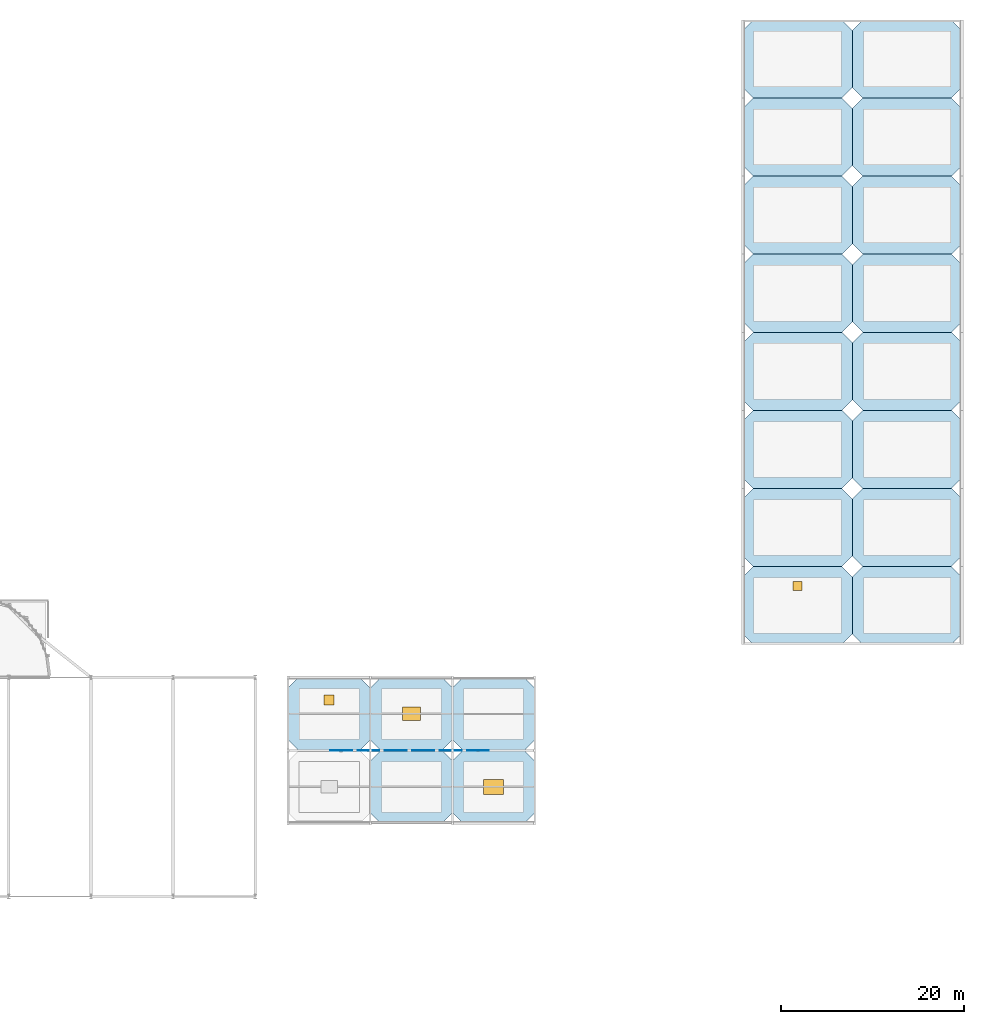
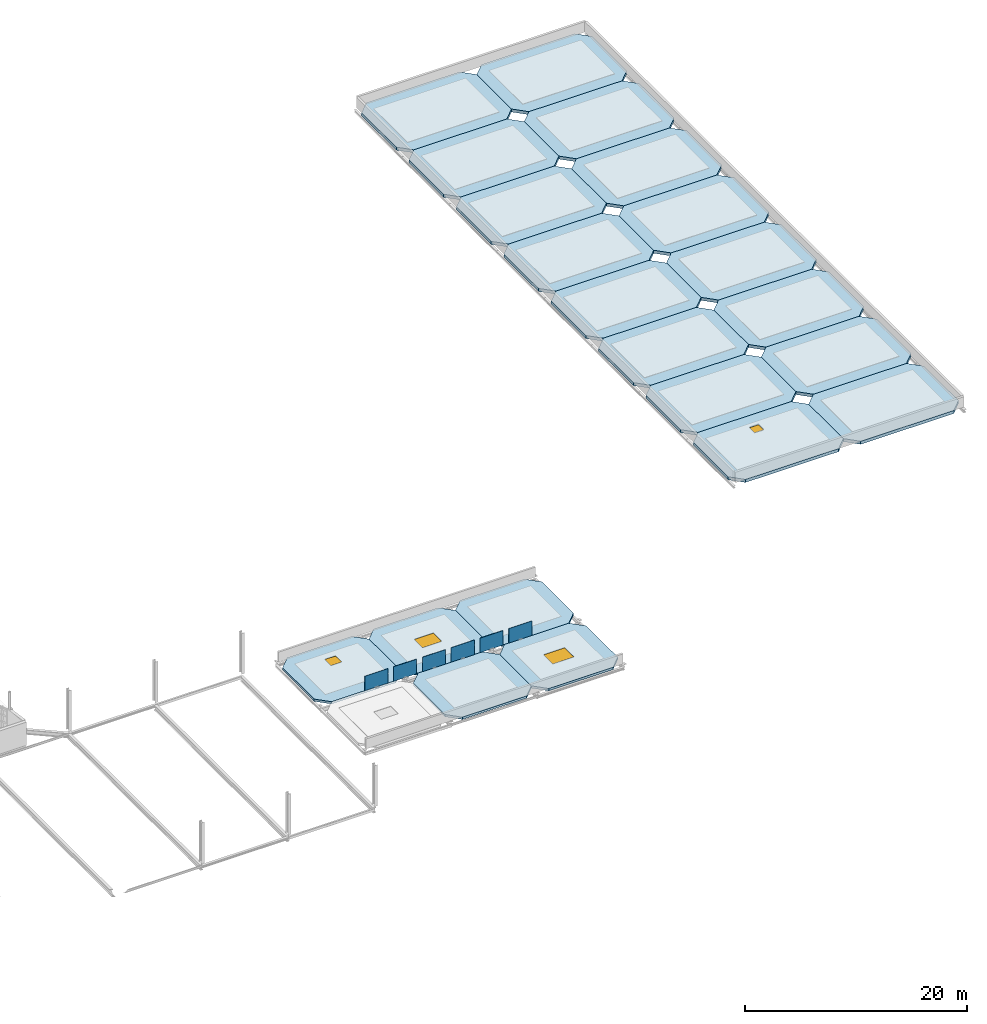
# One storey, part 30 of 44: 21 slabs, 6 plates, 2 doors, 2 windows, 4 openings.
"""IFC4 building model written with IfcOpenShell, lengths in metres."""

from ifc_helpers import new_model, si_unit, direction, frame, origin, origin_2d, place, context, subcontext, project, spatial, polyline, rectangle, outline, extrude, material, layer, layer_set, type_object, element, fill, save


model = new_model("IFC4")

# Units and contexts
model_context = context("Model", 3, precision=1e-05, world=origin(), true_north=direction((0.0, 1.0)))
body_context = subcontext(model_context, "Body", "Model", "MODEL_VIEW")
ifc_project = project(units=[si_unit("LENGTHUNIT", "METRE"), si_unit("AREAUNIT", "SQUARE_METRE"), si_unit("VOLUMEUNIT", "CUBIC_METRE"), si_unit("PLANEANGLEUNIT", "RADIAN"), si_unit("MASSUNIT", "GRAM", prefix="KILO")], contexts=[model_context])

# Site, building, storey
site_placement = place(None, origin())
site = spatial("IfcSite", under=ifc_project, at=site_placement, CompositionType="ELEMENT")
building_placement = place(site_placement, origin())
building = spatial("IfcBuilding", under=site, at=building_placement, Name="Serraforn Aerial Cableway Station", CompositionType="ELEMENT")
storey_placement = place(building_placement, frame((0.0, 0.0, 13.800048828125)))
storey = spatial("IfcBuildingStorey", under=building, at=storey_placement, Name="L03", CompositionType="ELEMENT", Elevation=13.800048828125)

# Plates
ifc_material_1 = material(Name="Perforated bronze acoustic plant screen")
ifc_layer_1 = layer(ifc_material_1, 0.031982421875)
ifc_layer_set_1 = layer_set([ifc_layer_1], Name="Perforated bronze acoustic plant screen")
plate_type = type_object("IfcPlateType", Name="SCR-PLANT", PredefinedType="SHEET", material=ifc_layer_set_1)
for number, where, z_axis, x_axis, name in (
    (1, (100.0, 34.0, 0.0), (0.0, 0.0, 1.0), (1.0, 0.0, 0.0), "Roof Plant Acoustic Louvre Screen 01"),
    (2, (103.0, 34.0, 0.0), (0.0, 0.0, 1.0), (1.0, 0.0, 0.0), "Roof Plant Acoustic Louvre Screen 02"),
    (3, (106.0, 34.0, 0.0), (0.0, 0.0, 1.0), (1.0, 0.0, 0.0), "Roof Plant Acoustic Louvre Screen 03"),
    (4, (109.0, 34.0, 0.0), (0.0, 0.0, 1.0), (1.0, 0.0, 0.0), "Roof Plant Acoustic Louvre Screen 04"),
    (5, (112.0, 34.0, 0.0), (0.0, 0.0, 1.0), (1.0, 0.0, 0.0), "Roof Plant Acoustic Louvre Screen 05"),
    (6, (115.0, 34.0, 0.0), (0.0, 0.0, 1.0), (1.0, 0.0, 0.0), "Roof Plant Acoustic Louvre Screen 06"),
):
    element("IfcPlate", number, at=place(storey_placement, frame(where, z_axis=z_axis, x_axis=x_axis)), inside=storey, type_object=plate_type, Name=name, PredefinedType="SHEET", context=body_context, shape_type="SweptSolid", body=[
        extrude(rectangle(XDim=2.39990234375, YDim=0.031982421875, at=origin_2d()), origin(), (0.0, 0.0, 1.0), 1.60009765625),
    ])

# Slab, opening, door
ifc_material_2 = material(Name="Concrete C35/45", Category="concrete")
ifc_layer_2 = layer(ifc_material_2, 0.330078125)
ifc_layer_set_2 = layer_set([ifc_layer_2], Name="Concrete C35/45")
slab_type_1 = type_object("IfcSlabType", Name="SLB-GRN-330", PredefinedType="ROOF", material=ifc_layer_set_2)
slab_1_placement = place(storey_placement, frame((0.0, 0.0, -0.330078125)))
slab_1 = element("IfcSlab", 7, at=slab_1_placement, inside=storey, type_object=slab_type_1, Name="Roof Slab EG-L03-1-1", PredefinedType="ROOF", context=body_context, shape_type="SweptSolid", body=[
    extrude(outline(polyline([(145.14990234375, 45.60009765625), (154.85009765625, 45.60009765625), (156.0, 46.75), (156.0, 53.0), (154.85009765625, 54.14990234375), (145.14990234375, 54.14990234375), (144.0, 53.0), (144.0, 46.75), (145.14990234375, 45.60009765625)]), holes=[polyline([(149.527099609375, 51.527099609375), (150.472900390625, 51.527099609375), (150.472900390625, 52.472900390625), (149.527099609375, 52.472900390625), (149.527099609375, 51.527099609375)])]), origin(), (0.0, 0.0, 1.0), 0.330078125),
])
opening_1_placement = place(slab_1_placement, frame((150.0, 52.0, -0.010009765625)))
opening_1 = element("IfcOpeningElement", 8, at=opening_1_placement, cuts=slab_1, Name="Opening HT-01", PredefinedType="OPENING", context=body_context, shape_type="SweptSolid", body=[
    extrude(rectangle(XDim=0.949951171875, YDim=0.949951171875, at=origin_2d()), origin(), (0.0, 0.0, 1.0), 0.35009765625),
])
ifc_material_3 = material(Name="Insulated steel roof maintenance hatch", Category="steel")
door_type_1 = type_object("IfcDoorType", Name="DR-HATCH-95", OperationType="NOTDEFINED", PredefinedType="TRAPDOOR", material=ifc_material_3)
door_1_placement = place(slab_1_placement, frame((150.0, 52.0, 0.280029296875)))
door_1 = element("IfcDoor", 9, at=door_1_placement, inside=storey, type_object=door_type_1, Name="Green Roof Maintenance Access Hatch HT-01", OperationType="SINGLE_SWING_LEFT", OverallHeight=0.949951171875, OverallWidth=0.949951171875, PredefinedType="TRAPDOOR", context=body_context, shape_type="SweptSolid", body=[
    extrude(rectangle(XDim=0.949951171875, YDim=0.949951171875, at=origin_2d()), origin(), (0.0, 0.0, 1.0), 0.050048828125),
])
fill(opening_1, door_1)

# Slabs
slab_2_placement = place(storey_placement, frame((0.0, 0.0, -0.330078125)))
element("IfcSlab", 10, at=slab_2_placement, inside=storey, type_object=slab_type_1, Name="Roof Slab EG-L03-1-2", PredefinedType="ROOF", context=body_context, shape_type="SweptSolid", body=[
    extrude(outline(polyline([(145.14990234375, 54.14990234375), (154.85009765625, 54.14990234375), (156.0, 55.300048828125), (156.0, 61.550048828125), (154.85009765625, 62.699951171875), (145.14990234375, 62.699951171875), (144.0, 61.550048828125), (144.0, 55.300048828125), (145.14990234375, 54.14990234375)])), origin(), (0.0, 0.0, 1.0), 0.330078125),
])
slab_3_placement = place(storey_placement, frame((0.0, 0.0, -0.330078125)))
element("IfcSlab", 11, at=slab_3_placement, inside=storey, type_object=slab_type_1, Name="Roof Slab EG-L03-1-3", PredefinedType="ROOF", context=body_context, shape_type="SweptSolid", body=[
    extrude(outline(polyline([(145.14990234375, 62.699951171875), (154.85009765625, 62.699951171875), (156.0, 63.85009765625), (156.0, 70.10009765625), (154.85009765625, 71.25), (145.14990234375, 71.25), (144.0, 70.10009765625), (144.0, 63.85009765625), (145.14990234375, 62.699951171875)])), origin(), (0.0, 0.0, 1.0), 0.330078125),
])
slab_4_placement = place(storey_placement, frame((0.0, 0.0, -0.330078125)))
element("IfcSlab", 12, at=slab_4_placement, inside=storey, type_object=slab_type_1, Name="Roof Slab EG-L03-1-4", PredefinedType="ROOF", context=body_context, shape_type="SweptSolid", body=[
    extrude(outline(polyline([(145.14990234375, 71.25), (154.85009765625, 71.25), (156.0, 72.39990234375), (156.0, 78.64990234375), (154.85009765625, 79.800048828125), (145.14990234375, 79.800048828125), (144.0, 78.64990234375), (144.0, 72.39990234375), (145.14990234375, 71.25)])), origin(), (0.0, 0.0, 1.0), 0.330078125),
])
slab_5_placement = place(storey_placement, frame((0.0, 0.0, -0.330078125)))
element("IfcSlab", 13, at=slab_5_placement, inside=storey, type_object=slab_type_1, Name="Roof Slab EG-L03-1-5", PredefinedType="ROOF", context=body_context, shape_type="SweptSolid", body=[
    extrude(outline(polyline([(145.14990234375, 79.800048828125), (154.85009765625, 79.800048828125), (156.0, 80.949951171875), (156.0, 87.199951171875), (154.85009765625, 88.35009765625), (145.14990234375, 88.35009765625), (144.0, 87.199951171875), (144.0, 80.949951171875), (145.14990234375, 79.800048828125)])), origin(), (0.0, 0.0, 1.0), 0.330078125),
])
slab_6_placement = place(storey_placement, frame((0.0, 0.0, -0.330078125)))
element("IfcSlab", 14, at=slab_6_placement, inside=storey, type_object=slab_type_1, Name="Roof Slab EG-L03-1-6", PredefinedType="ROOF", context=body_context, shape_type="SweptSolid", body=[
    extrude(outline(polyline([(145.14990234375, 88.35009765625), (154.85009765625, 88.35009765625), (156.0, 89.5), (156.0, 95.75), (154.85009765625, 96.89990234375), (145.14990234375, 96.89990234375), (144.0, 95.75), (144.0, 89.5), (145.14990234375, 88.35009765625)])), origin(), (0.0, 0.0, 1.0), 0.330078125),
])
slab_7_placement = place(storey_placement, frame((0.0, 0.0, -0.330078125)))
element("IfcSlab", 15, at=slab_7_placement, inside=storey, type_object=slab_type_1, Name="Roof Slab EG-L03-1-7", PredefinedType="ROOF", context=body_context, shape_type="SweptSolid", body=[
    extrude(outline(polyline([(145.14990234375, 96.89990234375), (154.85009765625, 96.89990234375), (156.0, 98.050048828125), (156.0, 104.300048828125), (154.85009765625, 105.449951171875), (145.14990234375, 105.449951171875), (144.0, 104.300048828125), (144.0, 98.050048828125), (145.14990234375, 96.89990234375)])), origin(), (0.0, 0.0, 1.0), 0.330078125),
])
slab_8_placement = place(storey_placement, frame((0.0, 0.0, -0.330078125)))
element("IfcSlab", 16, at=slab_8_placement, inside=storey, type_object=slab_type_1, Name="Roof Slab EG-L03-1-8", PredefinedType="ROOF", context=body_context, shape_type="SweptSolid", body=[
    extrude(outline(polyline([(145.14990234375, 105.449951171875), (154.85009765625, 105.449951171875), (156.0, 106.60009765625), (156.0, 112.85009765625), (154.85009765625, 114.0), (145.14990234375, 114.0), (144.0, 112.85009765625), (144.0, 106.60009765625), (145.14990234375, 105.449951171875)])), origin(), (0.0, 0.0, 1.0), 0.330078125),
])
slab_9_placement = place(storey_placement, frame((0.0, 0.0, -0.330078125)))
element("IfcSlab", 17, at=slab_9_placement, inside=storey, type_object=slab_type_1, Name="Roof Slab EG-L03-2-1", PredefinedType="ROOF", context=body_context, shape_type="SweptSolid", body=[
    extrude(outline(polyline([(157.14990234375, 45.60009765625), (166.85009765625, 45.60009765625), (168.0, 46.75), (168.0, 53.0), (166.85009765625, 54.14990234375), (157.14990234375, 54.14990234375), (156.0, 53.0), (156.0, 46.75), (157.14990234375, 45.60009765625)])), origin(), (0.0, 0.0, 1.0), 0.330078125),
])
slab_10_placement = place(storey_placement, frame((0.0, 0.0, -0.330078125)))
element("IfcSlab", 18, at=slab_10_placement, inside=storey, type_object=slab_type_1, Name="Roof Slab EG-L03-2-2", PredefinedType="ROOF", context=body_context, shape_type="SweptSolid", body=[
    extrude(outline(polyline([(157.14990234375, 54.14990234375), (166.85009765625, 54.14990234375), (168.0, 55.300048828125), (168.0, 61.550048828125), (166.85009765625, 62.699951171875), (157.14990234375, 62.699951171875), (156.0, 61.550048828125), (156.0, 55.300048828125), (157.14990234375, 54.14990234375)])), origin(), (0.0, 0.0, 1.0), 0.330078125),
])
slab_11_placement = place(storey_placement, frame((0.0, 0.0, -0.330078125)))
element("IfcSlab", 19, at=slab_11_placement, inside=storey, type_object=slab_type_1, Name="Roof Slab EG-L03-2-3", PredefinedType="ROOF", context=body_context, shape_type="SweptSolid", body=[
    extrude(outline(polyline([(157.14990234375, 62.699951171875), (166.85009765625, 62.699951171875), (168.0, 63.85009765625), (168.0, 70.10009765625), (166.85009765625, 71.25), (157.14990234375, 71.25), (156.0, 70.10009765625), (156.0, 63.85009765625), (157.14990234375, 62.699951171875)])), origin(), (0.0, 0.0, 1.0), 0.330078125),
])
slab_12_placement = place(storey_placement, frame((0.0, 0.0, -0.330078125)))
element("IfcSlab", 20, at=slab_12_placement, inside=storey, type_object=slab_type_1, Name="Roof Slab EG-L03-2-4", PredefinedType="ROOF", context=body_context, shape_type="SweptSolid", body=[
    extrude(outline(polyline([(157.14990234375, 71.25), (166.85009765625, 71.25), (168.0, 72.39990234375), (168.0, 78.64990234375), (166.85009765625, 79.800048828125), (157.14990234375, 79.800048828125), (156.0, 78.64990234375), (156.0, 72.39990234375), (157.14990234375, 71.25)])), origin(), (0.0, 0.0, 1.0), 0.330078125),
])
slab_13_placement = place(storey_placement, frame((0.0, 0.0, -0.330078125)))
element("IfcSlab", 21, at=slab_13_placement, inside=storey, type_object=slab_type_1, Name="Roof Slab EG-L03-2-5", PredefinedType="ROOF", context=body_context, shape_type="SweptSolid", body=[
    extrude(outline(polyline([(157.14990234375, 79.800048828125), (166.85009765625, 79.800048828125), (168.0, 80.949951171875), (168.0, 87.199951171875), (166.85009765625, 88.35009765625), (157.14990234375, 88.35009765625), (156.0, 87.199951171875), (156.0, 80.949951171875), (157.14990234375, 79.800048828125)])), origin(), (0.0, 0.0, 1.0), 0.330078125),
])
slab_14_placement = place(storey_placement, frame((0.0, 0.0, -0.330078125)))
element("IfcSlab", 22, at=slab_14_placement, inside=storey, type_object=slab_type_1, Name="Roof Slab EG-L03-2-6", PredefinedType="ROOF", context=body_context, shape_type="SweptSolid", body=[
    extrude(outline(polyline([(157.14990234375, 88.35009765625), (166.85009765625, 88.35009765625), (168.0, 89.5), (168.0, 95.75), (166.85009765625, 96.89990234375), (157.14990234375, 96.89990234375), (156.0, 95.75), (156.0, 89.5), (157.14990234375, 88.35009765625)])), origin(), (0.0, 0.0, 1.0), 0.330078125),
])
slab_15_placement = place(storey_placement, frame((0.0, 0.0, -0.330078125)))
element("IfcSlab", 23, at=slab_15_placement, inside=storey, type_object=slab_type_1, Name="Roof Slab EG-L03-2-7", PredefinedType="ROOF", context=body_context, shape_type="SweptSolid", body=[
    extrude(outline(polyline([(157.14990234375, 96.89990234375), (166.85009765625, 96.89990234375), (168.0, 98.050048828125), (168.0, 104.300048828125), (166.85009765625, 105.449951171875), (157.14990234375, 105.449951171875), (156.0, 104.300048828125), (156.0, 98.050048828125), (157.14990234375, 96.89990234375)])), origin(), (0.0, 0.0, 1.0), 0.330078125),
])
slab_16_placement = place(storey_placement, frame((0.0, 0.0, -0.330078125)))
element("IfcSlab", 24, at=slab_16_placement, inside=storey, type_object=slab_type_1, Name="Roof Slab EG-L03-2-8", PredefinedType="ROOF", context=body_context, shape_type="SweptSolid", body=[
    extrude(outline(polyline([(157.14990234375, 105.449951171875), (166.85009765625, 105.449951171875), (168.0, 106.60009765625), (168.0, 112.85009765625), (166.85009765625, 114.0), (157.14990234375, 114.0), (156.0, 112.85009765625), (156.0, 106.60009765625), (157.14990234375, 105.449951171875)])), origin(), (0.0, 0.0, 1.0), 0.330078125),
])

# Slab, opening, door
ifc_layer_3 = layer(ifc_material_2, 0.25)
ifc_layer_set_3 = layer_set([ifc_layer_3], Name="Concrete C35/45")
slab_type_2 = type_object("IfcSlabType", Name="SLB-ROOF-250", PredefinedType="ROOF", material=ifc_layer_set_3)
slab_17_placement = place(storey_placement, frame((0.0, 0.0, -0.25)))
slab_17 = element("IfcSlab", 25, at=slab_17_placement, inside=storey, type_object=slab_type_2, Name="Roof Slab EL-L03-1-2", PredefinedType="ROOF", context=body_context, shape_type="SweptSolid", body=[
    extrude(outline(polyline([(95.35009765625, 34.0), (102.050048828125, 34.0), (103.199951171875, 35.14990234375), (103.199951171875, 40.85009765625), (102.050048828125, 42.0), (95.35009765625, 42.0), (94.199951171875, 40.85009765625), (94.199951171875, 35.14990234375), (95.35009765625, 34.0)]), holes=[polyline([(98.152099609375, 38.951904296875), (99.248046875, 38.951904296875), (99.248046875, 40.048095703125), (98.152099609375, 40.048095703125), (98.152099609375, 38.951904296875)])]), origin(), (0.0, 0.0, 1.0), 0.25),
])
opening_2_placement = place(slab_17_placement, frame((98.699951171875, 39.5, -0.010009765625)))
opening_2 = element("IfcOpeningElement", 26, at=opening_2_placement, cuts=slab_17, Name="Opening HT-02", PredefinedType="OPENING", context=body_context, shape_type="SweptSolid", body=[
    extrude(rectangle(XDim=1.10009765625, YDim=1.10009765625, at=origin_2d()), origin(), (0.0, 0.0, 1.0), 0.27001953125),
])
ifc_material_4 = material(Name="Insulated steel machinery hatch", Category="steel")
door_type_2 = type_object("IfcDoorType", Name="DR-HATCH-110", OperationType="NOTDEFINED", PredefinedType="TRAPDOOR", material=ifc_material_4)
door_2_placement = place(slab_17_placement, frame((98.699951171875, 39.5, 0.199951171875)))
door_2 = element("IfcDoor", 27, at=door_2_placement, inside=storey, type_object=door_type_2, Name="Roof Plant Access Hatch HT-02", OperationType="SINGLE_SWING_LEFT", OverallHeight=1.10009765625, OverallWidth=1.10009765625, PredefinedType="TRAPDOOR", context=body_context, shape_type="SweptSolid", body=[
    extrude(rectangle(XDim=1.10009765625, YDim=1.10009765625, at=origin_2d()), origin(), (0.0, 0.0, 1.0), 0.050048828125),
])
fill(opening_2, door_2)

# Slab
slab_18_placement = place(storey_placement, frame((0.0, 0.0, -0.25)))
element("IfcSlab", 28, at=slab_18_placement, inside=storey, type_object=slab_type_2, Name="Roof Slab EL-L03-2-1", PredefinedType="ROOF", context=body_context, shape_type="SweptSolid", body=[
    extrude(outline(polyline([(104.35009765625, 26.0), (111.050048828125, 26.0), (112.199951171875, 27.14990234375), (112.199951171875, 32.85009765625), (111.050048828125, 34.0), (104.35009765625, 34.0), (103.199951171875, 32.85009765625), (103.199951171875, 27.14990234375), (104.35009765625, 26.0)])), origin(), (0.0, 0.0, 1.0), 0.25),
])

# Slab, opening, window
slab_19_placement = place(storey_placement, frame((0.0, 0.0, -0.25)))
slab_19 = element("IfcSlab", 29, at=slab_19_placement, inside=storey, type_object=slab_type_2, Name="Roof Slab EL-L03-2-2", PredefinedType="ROOF", context=body_context, shape_type="SweptSolid", body=[
    extrude(outline(polyline([(104.35009765625, 34.0), (111.050048828125, 34.0), (112.199951171875, 35.14990234375), (112.199951171875, 40.85009765625), (111.050048828125, 42.0), (104.35009765625, 42.0), (103.199951171875, 40.85009765625), (103.199951171875, 35.14990234375), (104.35009765625, 34.0)]), holes=[polyline([(106.701904296875, 37.251953125), (108.697998046875, 37.251953125), (108.697998046875, 38.748046875), (106.701904296875, 38.748046875), (106.701904296875, 37.251953125)])]), origin(), (0.0, 0.0, 1.0), 0.25),
])
opening_3_placement = place(slab_19_placement, frame((107.699951171875, 38.0, -0.010009765625)))
opening_3 = element("IfcOpeningElement", 30, at=opening_3_placement, cuts=slab_19, Name="Opening SK-03", PredefinedType="OPENING", context=body_context, shape_type="SweptSolid", body=[
    extrude(rectangle(XDim=2.0, YDim=1.5, at=origin_2d()), origin(), (0.0, 0.0, 1.0), 0.27001953125),
])
ifc_material_5 = material(Name="Double low-E laminated safety glass", Category="glass")
window_type_1 = type_object("IfcWindowType", Name="WIN-SKY-3", PartitioningType="SINGLE_PANEL", PredefinedType="SKYLIGHT", material=ifc_material_5)
window_1_placement = place(slab_19_placement, frame((107.699951171875, 38.0, 0.199951171875)))
window_1 = element("IfcWindow", 31, at=window_1_placement, inside=storey, type_object=window_type_1, Name="Roof Skylight EL-L03-2-2", OverallHeight=1.5, OverallWidth=2.0, PartitioningType="SINGLE_PANEL", PredefinedType="SKYLIGHT", context=body_context, shape_type="SweptSolid", body=[
    extrude(rectangle(XDim=2.0, YDim=1.5, at=origin_2d()), origin(), (0.0, 0.0, 1.0), 0.050048828125),
])
fill(opening_3, window_1)

slab_20_placement = place(storey_placement, frame((0.0, 0.0, -0.25)))
slab_20 = element("IfcSlab", 32, at=slab_20_placement, inside=storey, type_object=slab_type_2, Name="Roof Slab EL-L03-3-1", PredefinedType="ROOF", context=body_context, shape_type="SweptSolid", body=[
    extrude(outline(polyline([(113.35009765625, 26.0), (120.050048828125, 26.0), (121.199951171875, 27.14990234375), (121.199951171875, 32.85009765625), (120.050048828125, 34.0), (113.35009765625, 34.0), (112.199951171875, 32.85009765625), (112.199951171875, 27.14990234375), (113.35009765625, 26.0)]), holes=[polyline([(115.60205078125, 29.177001953125), (117.798095703125, 29.177001953125), (117.798095703125, 30.822998046875), (115.60205078125, 30.822998046875), (115.60205078125, 29.177001953125)])]), origin(), (0.0, 0.0, 1.0), 0.25),
])
opening_4_placement = place(slab_20_placement, frame((116.699951171875, 30.0, -0.010009765625)))
opening_4 = element("IfcOpeningElement", 33, at=opening_4_placement, cuts=slab_20, Name="Opening SK-04", PredefinedType="OPENING", context=body_context, shape_type="SweptSolid", body=[
    extrude(rectangle(XDim=2.199951171875, YDim=1.64990234375, at=origin_2d()), origin(), (0.0, 0.0, 1.0), 0.27001953125),
])
window_type_2 = type_object("IfcWindowType", Name="WIN-SKY-4", PartitioningType="SINGLE_PANEL", PredefinedType="SKYLIGHT", material=ifc_material_5)
window_2_placement = place(slab_20_placement, frame((116.699951171875, 30.0, 0.199951171875)))
window_2 = element("IfcWindow", 34, at=window_2_placement, inside=storey, type_object=window_type_2, Name="Roof Skylight EL-L03-3-1", OverallHeight=1.64990234375, OverallWidth=2.199951171875, PartitioningType="SINGLE_PANEL", PredefinedType="SKYLIGHT", context=body_context, shape_type="SweptSolid", body=[
    extrude(rectangle(XDim=2.199951171875, YDim=1.64990234375, at=origin_2d()), origin(), (0.0, 0.0, 1.0), 0.050048828125),
])
fill(opening_4, window_2)

# Slab
slab_21_placement = place(storey_placement, frame((0.0, 0.0, -0.25)))
element("IfcSlab", 35, at=slab_21_placement, inside=storey, type_object=slab_type_2, Name="Roof Slab EL-L03-3-2", PredefinedType="ROOF", context=body_context, shape_type="SweptSolid", body=[
    extrude(outline(polyline([(113.35009765625, 34.0), (120.050048828125, 34.0), (121.199951171875, 35.14990234375), (121.199951171875, 40.85009765625), (120.050048828125, 42.0), (113.35009765625, 42.0), (112.199951171875, 40.85009765625), (112.199951171875, 35.14990234375), (113.35009765625, 34.0)])), origin(), (0.0, 0.0, 1.0), 0.25),
])

save(model, "model.ifc")
